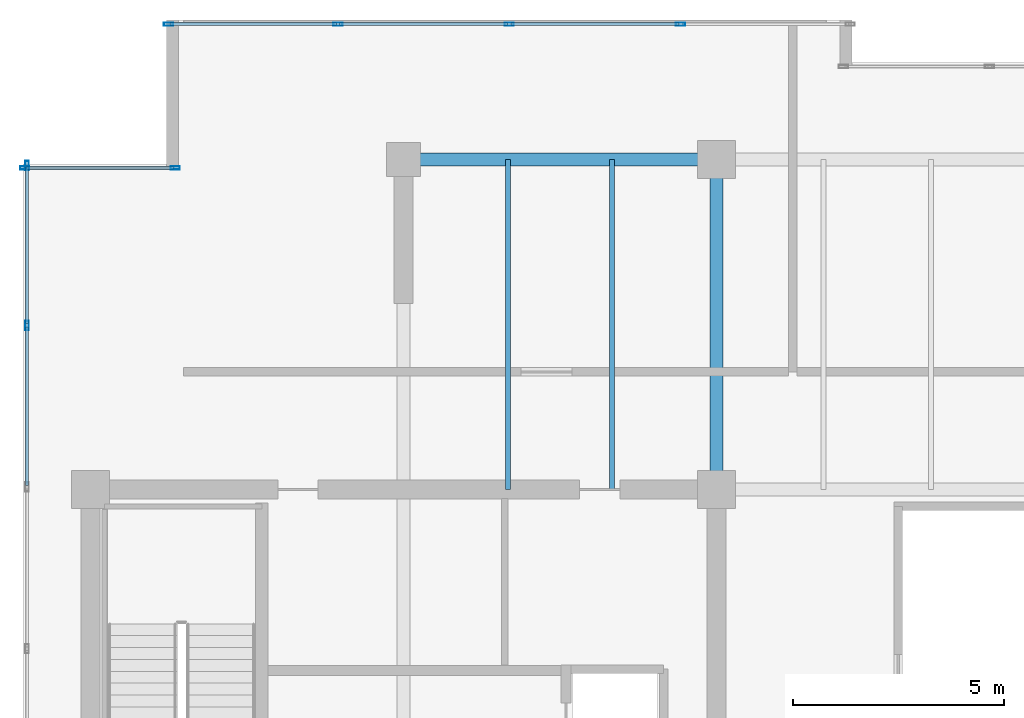
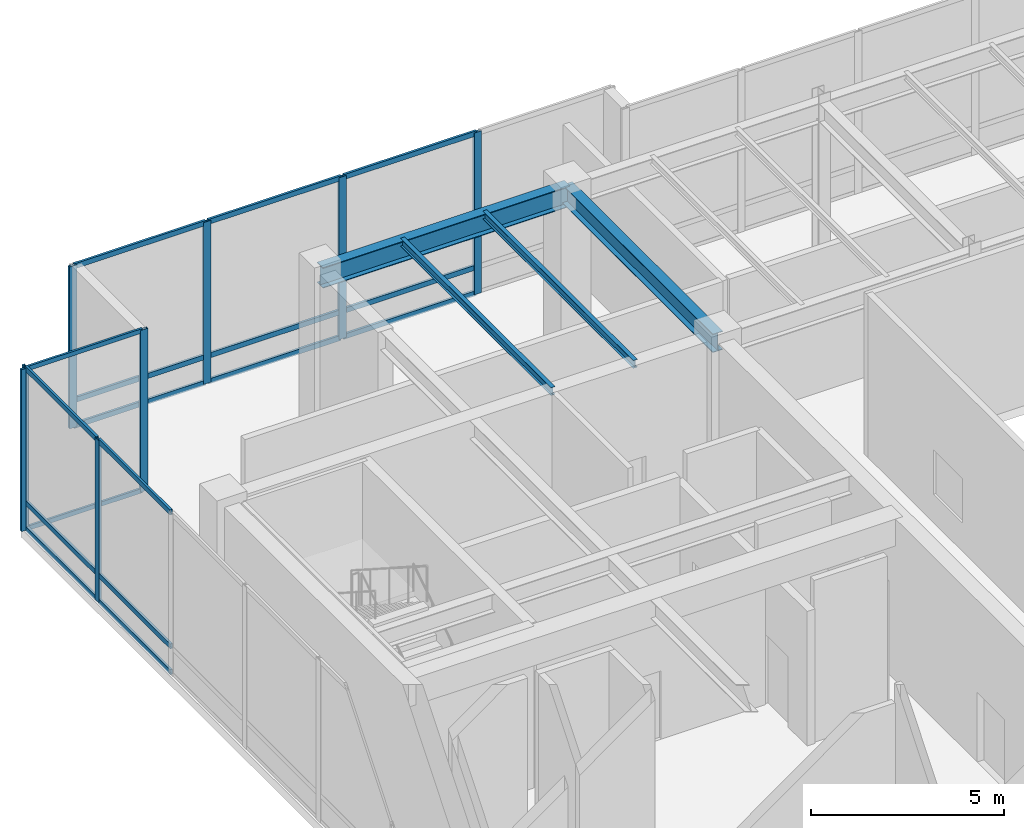
# One storey, part 18 of 30: 25 members, 4 beams, 3 elements without a shape of their own.
"""IFC4 building model written with IfcOpenShell, lengths in metres."""

from ifc_helpers import new_model, si_unit, direction, frame, origin, origin_2d, place, context, subcontext, project, spatial, hollow_rectangle, i_section, extrude, source, transform, mapped, material, layer, layer_set, material_profile, profile_set, type_object, type_shapes, element, aggregate, save


model = new_model("IFC4")

# Units and contexts
model_context = context("Model", 3, precision=1e-05, world=origin(), true_north=direction((0.0, 1.0)))
body_context = subcontext(model_context, "Body", "Model", "MODEL_VIEW")
ifc_project = project(units=[si_unit("LENGTHUNIT", "METRE"), si_unit("AREAUNIT", "SQUARE_METRE"), si_unit("VOLUMEUNIT", "CUBIC_METRE"), si_unit("PLANEANGLEUNIT", "RADIAN"), si_unit("MASSUNIT", "GRAM", prefix="KILO")], contexts=[model_context])

# Site, building, storey
site_placement = place(None, origin())
site = spatial("IfcSite", under=ifc_project, at=site_placement, CompositionType="ELEMENT")
building_placement = place(site_placement, origin())
building = spatial("IfcBuilding", under=site, at=building_placement, Name="Haelvirn Gate Laboratories", CompositionType="ELEMENT")
storey_placement = place(building_placement, frame((0.0, 0.0, 327.0)))
storey = spatial("IfcBuildingStorey", under=building, at=storey_placement, Name="L78", CompositionType="ELEMENT", Elevation=327.0)

# Beams
ifc_material_1 = material(Name="Steel SM355", Category="steel")
ifc_material_profile_1 = material_profile(ifc_material_1, i_section(OverallWidth=0.300048828125, OverallDepth=0.587890625, WebThickness=0.011962890625, FlangeThickness=0.02001953125, at=origin_2d()), Name="H-588x300x12x20")
ifc_profile_set_1 = profile_set([ifc_material_profile_1], Name="Steel SM355")
beam_type_1 = type_object("IfcBeamType", Name="BM-G-588", PredefinedType="BEAM", material=ifc_profile_set_1)
shared_shape_1 = source(origin(), body_context, "Body", "SweptSolid", [
    extrude(i_section(OverallWidth=0.300048828125, OverallDepth=0.587890625, WebThickness=0.011962890625, FlangeThickness=0.02001953125, at=origin_2d()), origin(), (0.0, 0.0, 1.0), 7.800048828125),
])
type_shapes(beam_type_1, [shared_shape_1])
beam_1_placement = place(storey_placement, frame((22.199951171875, 33.800048828125, 4.825927734375), z_axis=(0.0, 1.0, 0.0), x_axis=(-1.0, 0.0, 0.0)))
element("IfcBeam", 1, at=beam_1_placement, inside=storey, type_object=beam_type_1, Name="L78 Frame Girder X22.2 (33.8-41.6)", PredefinedType="BEAM", context=body_context, shape_type="MappedRepresentation", body=[
    mapped(shared_shape_1, transform((0.0, 0.0, 0.0), scale=1.0)),
])
ifc_material_profile_2 = material_profile(ifc_material_1, i_section(OverallWidth=0.300048828125, OverallDepth=0.64990234375, WebThickness=0.012939453125, FlangeThickness=0.02197265625, at=origin_2d()), Name="H-650x300x13x22")
ifc_profile_set_2 = profile_set([ifc_material_profile_2], Name="Steel SM355")
beam_type_2 = type_object("IfcBeamType", Name="BM-G-650", PredefinedType="BEAM", material=ifc_profile_set_2)
shared_shape_2 = source(origin(), body_context, "Body", "SweptSolid", [
    extrude(i_section(OverallWidth=0.300048828125, OverallDepth=0.64990234375, WebThickness=0.012939453125, FlangeThickness=0.02197265625, at=origin_2d()), origin(), (0.0, 0.0, 1.0), 7.39990234375),
])
type_shapes(beam_type_2, [shared_shape_2])
beam_2_placement = place(storey_placement, frame((14.800048828125, 41.60009765625, 4.794921875), z_axis=(1.0, 0.0, 0.0), x_axis=(0.0, 1.0, 0.0)))
element("IfcBeam", 2, at=beam_2_placement, inside=storey, type_object=beam_type_2, Name="L78 Primary Girder Y41.6 (14.8-22.2)", PredefinedType="BEAM", context=body_context, shape_type="MappedRepresentation", body=[
    mapped(shared_shape_2, transform((0.0, 0.0, 0.0), scale=1.0)),
])
ifc_material_profile_3 = material_profile(ifc_material_1, i_section(OverallWidth=0.125, OverallDepth=0.25, WebThickness=0.006103515625, FlangeThickness=0.009033203125, at=origin_2d()), Name="H-250x125x6x9")
ifc_profile_set_3 = profile_set([ifc_material_profile_3], Name="Steel SM355")
beam_type_3 = type_object("IfcBeamType", Name="BM-J-250", PredefinedType="JOIST", material=ifc_profile_set_3)
shared_shape_3 = source(origin(), body_context, "Body", "SweptSolid", [
    extrude(i_section(OverallWidth=0.125, OverallDepth=0.25, WebThickness=0.006103515625, FlangeThickness=0.009033203125, at=origin_2d()), origin(), (0.0, 0.0, 1.0), 7.800048828125),
])
type_shapes(beam_type_3, [shared_shape_3])
for number, where, z_axis, x_axis, name in (
    (3, (17.27001953125, 33.800048828125, 4.9951171875), (0.0, 1.0, 0.0), (-1.0, 0.0, 0.0), "L78 Composite Lab Joist North X17.27"),
    (4, (19.72998046875, 33.800048828125, 4.9951171875), (0.0, 1.0, 0.0), (-1.0, 0.0, 0.0), "L78 Composite Lab Joist North X19.73"),
):
    element("IfcBeam", number, at=place(storey_placement, frame(where, z_axis=z_axis, x_axis=x_axis)), inside=storey, type_object=beam_type_3, Name=name, PredefinedType="JOIST", context=body_context, shape_type="MappedRepresentation", body=[
        mapped(shared_shape_3, transform((0.0, 0.0, 0.0), scale=1.0)),
    ])

# Curtain wall, members
ifc_material_2 = material(Name="Anodised bronze unitised aluminium & triple low-E glass", Category="aluminium")
ifc_layer_1 = layer(ifc_material_2, 0.181884765625, Name="CW-SYS-5")
ifc_layer_set_1 = layer_set([ifc_layer_1], Name="Anodised bronze unitised aluminium & triple low-E glass")
curtain_wall_type_1 = type_object("IfcCurtainWallType", Name="CW-SYS-5", PredefinedType="NOTDEFINED", material=ifc_layer_set_1)
curtain_wall_1_placement = place(storey_placement, origin())
curtain_wall_1 = element("IfcCurtainWall", 5, at=curtain_wall_1_placement, inside=storey, type_object=curtain_wall_type_1, Name="L78 Unitised Curtain Wall CW-L78-P0-E16-1", PredefinedType="NOTDEFINED")
ifc_material_3 = material(Name="Extruded aluminium 6063-T6 (anodised bronze)", Category="aluminium")
ifc_material_profile_4 = material_profile(ifc_material_3, hollow_rectangle(XDim=0.06494140625, YDim=0.139892578125, WallThickness=0.00390625, at=origin_2d()), Name="CWT-140x65x4")
ifc_profile_set_4 = profile_set([ifc_material_profile_4], Name="Extruded aluminium 6063-T6 (anodised bronze)")
member_type_1 = type_object("IfcMemberType", Name="CWT-T140", PredefinedType="USERDEFINED", material=ifc_profile_set_4)
shared_shape_4 = source(origin(), body_context, "Body", "SweptSolid", [
    extrude(hollow_rectangle(XDim=0.06494140625, YDim=0.139892578125, WallThickness=0.00390625, at=origin_2d()), origin(), (0.0, 0.0, 1.0), 3.480224609375),
])
type_shapes(member_type_1, [shared_shape_4])
member_1_placement = place(storey_placement, frame((5.8798828125, 41.39990234375, 0.032470703125), z_axis=(1.0, 0.0, 0.0), x_axis=(0.0, 1.0, 0.0)))
member_1 = element("IfcMember", 6, at=member_1_placement, type_object=member_type_1, Name="CW5 transom 1.1", ObjectType="TRANSOM", PredefinedType="USERDEFINED", context=body_context, shape_type="MappedRepresentation", body=[
    mapped(shared_shape_4, transform((0.0, 0.0, 0.0), scale=1.0)),
])
member_2_placement = place(storey_placement, frame((5.8798828125, 41.39990234375, 5.08740234375), z_axis=(1.0, 0.0, 0.0), x_axis=(0.0, 1.0, 0.0)))
member_2 = element("IfcMember", 7, at=member_2_placement, type_object=member_type_1, Name="CW5 transom 1.2", ObjectType="TRANSOM", PredefinedType="USERDEFINED", context=body_context, shape_type="MappedRepresentation", body=[
    mapped(shared_shape_4, transform((0.0, 0.0, 0.0), scale=1.0)),
])

ifc_layer_2 = layer(ifc_material_2, 0.19189453125, Name="CW-SYS-6")
ifc_layer_set_2 = layer_set([ifc_layer_2], Name="Anodised bronze unitised aluminium & triple low-E glass")
curtain_wall_type_2 = type_object("IfcCurtainWallType", Name="CW-SYS-6", PredefinedType="NOTDEFINED", material=ifc_layer_set_2)
curtain_wall_2_placement = place(storey_placement, origin())
curtain_wall_2 = element("IfcCurtainWall", 8, at=curtain_wall_2_placement, inside=storey, type_object=curtain_wall_type_2, Name="L78 Unitised Curtain Wall CW-L78-P0-E14-1", PredefinedType="NOTDEFINED")
ifc_material_profile_5 = material_profile(ifc_material_3, hollow_rectangle(XDim=0.080078125, YDim=0.219970703125, WallThickness=0.006103515625, at=origin_2d()), Name="CWM-220x80x6")
ifc_profile_set_5 = profile_set([ifc_material_profile_5], Name="Extruded aluminium 6063-T6 (anodised bronze)")
member_type_2 = type_object("IfcMemberType", Name="CWM-T220", PredefinedType="MULLION", material=ifc_profile_set_5)
shared_shape_5 = source(origin(), body_context, "Body", "SweptSolid", [
    extrude(hollow_rectangle(XDim=0.080078125, YDim=0.219970703125, WallThickness=0.006103515625, at=origin_2d()), origin(), (0.0, 0.0, 1.0), 5.1201171875),
])
type_shapes(member_type_2, [shared_shape_5])
member_3_placement = place(storey_placement, frame((9.239990234375, 44.800048828125, 0.0), z_axis=(0.0, 0.0, 1.0), x_axis=(0.0, 1.0, 0.0)))
member_3 = element("IfcMember", 9, at=member_3_placement, type_object=member_type_2, Name="CW6 mullion 1", PredefinedType="MULLION", context=body_context, shape_type="MappedRepresentation", body=[
    mapped(shared_shape_5, transform((0.0, 0.0, 0.0), scale=1.0)),
])
member_4_placement = place(storey_placement, frame((13.25, 44.800048828125, 0.0), z_axis=(0.0, 0.0, 1.0), x_axis=(0.0, 1.0, 0.0)))
member_4 = element("IfcMember", 10, at=member_4_placement, type_object=member_type_2, Name="CW6 mullion 2", PredefinedType="MULLION", context=body_context, shape_type="MappedRepresentation", body=[
    mapped(shared_shape_5, transform((0.0, 0.0, 0.0), scale=1.0)),
])
member_5_placement = place(storey_placement, frame((17.300048828125, 44.800048828125, 0.0), z_axis=(0.0, 0.0, 1.0), x_axis=(0.0, 1.0, 0.0)))
member_5 = element("IfcMember", 11, at=member_5_placement, type_object=member_type_2, Name="CW6 mullion 3", PredefinedType="MULLION", context=body_context, shape_type="MappedRepresentation", body=[
    mapped(shared_shape_5, transform((0.0, 0.0, 0.0), scale=1.0)),
])
member_6_placement = place(storey_placement, frame((21.35009765625, 44.800048828125, 0.0), z_axis=(0.0, 0.0, 1.0), x_axis=(0.0, 1.0, 0.0)))
member_6 = element("IfcMember", 12, at=member_6_placement, type_object=member_type_2, Name="CW6 mullion 4", PredefinedType="MULLION", context=body_context, shape_type="MappedRepresentation", body=[
    mapped(shared_shape_5, transform((0.0, 0.0, 0.0), scale=1.0)),
])

# Member
member_7_placement = place(storey_placement, frame((5.840087890625, 41.39990234375, 0.0), z_axis=(0.0, 0.0, 1.0), x_axis=(0.0, 1.0, 0.0)))
member_7 = element("IfcMember", 13, at=member_7_placement, type_object=member_type_2, Name="CW5 mullion 1", PredefinedType="MULLION", context=body_context, shape_type="MappedRepresentation", body=[
    mapped(shared_shape_5, transform((0.0, 0.0, 0.0), scale=1.0)),
])

member_8_placement = place(storey_placement, frame((9.39990234375, 41.39990234375, 0.0), z_axis=(0.0, 0.0, 1.0), x_axis=(0.0, 1.0, 0.0)))
member_8 = element("IfcMember", 14, at=member_8_placement, type_object=member_type_2, Name="CW5 mullion 2", PredefinedType="MULLION", context=body_context, shape_type="MappedRepresentation", body=[
    mapped(shared_shape_5, transform((0.0, 0.0, 0.0), scale=1.0)),
])

aggregate(curtain_wall_1, [member_7, member_8, member_1, member_2])

# Curtain wall, members
curtain_wall_3_placement = place(storey_placement, origin())
curtain_wall_3 = element("IfcCurtainWall", 15, at=curtain_wall_3_placement, inside=storey, type_object=curtain_wall_type_2, Name="L78 Unitised Curtain Wall CW-L78-P0-E17", PredefinedType="NOTDEFINED")
member_9_placement = place(storey_placement, frame((5.89990234375, 41.4599609375, 0.0), z_axis=(0.0, 0.0, 1.0), x_axis=(1.0, 0.0, 0.0)))
member_9 = element("IfcMember", 16, at=member_9_placement, type_object=member_type_2, Name="CW6 mullion 1", PredefinedType="MULLION", context=body_context, shape_type="MappedRepresentation", body=[
    mapped(shared_shape_5, transform((0.0, 0.0, 0.0), scale=1.0)),
])
member_10_placement = place(storey_placement, frame((5.89990234375, 37.677734375, 0.0), z_axis=(0.0, 0.0, 1.0), x_axis=(1.0, 0.0, 0.0)))
member_10 = element("IfcMember", 17, at=member_10_placement, type_object=member_type_2, Name="CW6 mullion 2", PredefinedType="MULLION", context=body_context, shape_type="MappedRepresentation", body=[
    mapped(shared_shape_5, transform((0.0, 0.0, 0.0), scale=1.0)),
])

# Member
ifc_material_profile_6 = material_profile(ifc_material_3, hollow_rectangle(XDim=0.070068359375, YDim=0.159912109375, WallThickness=0.0048828125, at=origin_2d()), Name="CWT-160x70x5")
ifc_profile_set_6 = profile_set([ifc_material_profile_6], Name="Extruded aluminium 6063-T6 (anodised bronze)")
member_type_3 = type_object("IfcMemberType", Name="CWT-T160", PredefinedType="USERDEFINED", material=ifc_profile_set_6)
shared_shape_6 = source(origin(), body_context, "Body", "SweptSolid", [
    extrude(hollow_rectangle(XDim=0.070068359375, YDim=0.159912109375, WallThickness=0.0048828125, at=origin_2d()), origin(), (0.0, 0.0, 1.0), 3.929931640625),
])
member_11_placement = place(storey_placement, frame((9.280029296875, 44.800048828125, 0.034912109375), z_axis=(1.0, 0.0, 0.0), x_axis=(0.0, 1.0, 0.0)))
member_11 = element("IfcMember", 18, at=member_11_placement, type_object=member_type_3, Name="CW6 transom 1.1", ObjectType="TRANSOM", PredefinedType="USERDEFINED", context=body_context, shape_type="MappedRepresentation", body=[
    mapped(shared_shape_6, transform((0.0, 0.0, 0.0), scale=1.0)),
])

member_12_placement = place(storey_placement, frame((9.280029296875, 44.800048828125, 0.85009765625), z_axis=(1.0, 0.0, 0.0), x_axis=(0.0, 1.0, 0.0)))
member_12 = element("IfcMember", 19, at=member_12_placement, type_object=member_type_3, Name="CW6 transom 1.2", ObjectType="TRANSOM", PredefinedType="USERDEFINED", context=body_context, shape_type="MappedRepresentation", body=[
    mapped(shared_shape_6, transform((0.0, 0.0, 0.0), scale=1.0)),
])

member_13_placement = place(storey_placement, frame((9.280029296875, 44.800048828125, 5.0849609375), z_axis=(1.0, 0.0, 0.0), x_axis=(0.0, 1.0, 0.0)))
member_13 = element("IfcMember", 20, at=member_13_placement, type_object=member_type_3, Name="CW6 transom 1.3", ObjectType="TRANSOM", PredefinedType="USERDEFINED", context=body_context, shape_type="MappedRepresentation", body=[
    mapped(shared_shape_6, transform((0.0, 0.0, 0.0), scale=1.0)),
])

shared_shape_7 = source(origin(), body_context, "Body", "SweptSolid", [
    extrude(hollow_rectangle(XDim=0.070068359375, YDim=0.159912109375, WallThickness=0.0048828125, at=origin_2d()), origin(), (0.0, 0.0, 1.0), 3.969970703125),
])
member_14_placement = place(storey_placement, frame((13.2900390625, 44.800048828125, 0.034912109375), z_axis=(1.0, 0.0, 0.0), x_axis=(0.0, 1.0, 0.0)))
member_14 = element("IfcMember", 21, at=member_14_placement, type_object=member_type_3, Name="CW6 transom 2.1", ObjectType="TRANSOM", PredefinedType="USERDEFINED", context=body_context, shape_type="MappedRepresentation", body=[
    mapped(shared_shape_7, transform((0.0, 0.0, 0.0), scale=1.0)),
])

member_15_placement = place(storey_placement, frame((13.2900390625, 44.800048828125, 0.85009765625), z_axis=(1.0, 0.0, 0.0), x_axis=(0.0, 1.0, 0.0)))
member_15 = element("IfcMember", 22, at=member_15_placement, type_object=member_type_3, Name="CW6 transom 2.2", ObjectType="TRANSOM", PredefinedType="USERDEFINED", context=body_context, shape_type="MappedRepresentation", body=[
    mapped(shared_shape_7, transform((0.0, 0.0, 0.0), scale=1.0)),
])

member_16_placement = place(storey_placement, frame((13.2900390625, 44.800048828125, 5.0849609375), z_axis=(1.0, 0.0, 0.0), x_axis=(0.0, 1.0, 0.0)))
member_16 = element("IfcMember", 23, at=member_16_placement, type_object=member_type_3, Name="CW6 transom 2.3", ObjectType="TRANSOM", PredefinedType="USERDEFINED", context=body_context, shape_type="MappedRepresentation", body=[
    mapped(shared_shape_7, transform((0.0, 0.0, 0.0), scale=1.0)),
])

member_17_placement = place(storey_placement, frame((17.340087890625, 44.800048828125, 0.034912109375), z_axis=(1.0, 0.0, 0.0), x_axis=(0.0, 1.0, 0.0)))
member_17 = element("IfcMember", 24, at=member_17_placement, type_object=member_type_3, Name="CW6 transom 3.1", ObjectType="TRANSOM", PredefinedType="USERDEFINED", context=body_context, shape_type="MappedRepresentation", body=[
    mapped(shared_shape_7, transform((0.0, 0.0, 0.0), scale=1.0)),
])

member_18_placement = place(storey_placement, frame((17.340087890625, 44.800048828125, 0.85009765625), z_axis=(1.0, 0.0, 0.0), x_axis=(0.0, 1.0, 0.0)))
member_18 = element("IfcMember", 25, at=member_18_placement, type_object=member_type_3, Name="CW6 transom 3.2", ObjectType="TRANSOM", PredefinedType="USERDEFINED", context=body_context, shape_type="MappedRepresentation", body=[
    mapped(shared_shape_7, transform((0.0, 0.0, 0.0), scale=1.0)),
])

member_19_placement = place(storey_placement, frame((17.340087890625, 44.800048828125, 5.0849609375), z_axis=(1.0, 0.0, 0.0), x_axis=(0.0, 1.0, 0.0)))
member_19 = element("IfcMember", 26, at=member_19_placement, type_object=member_type_3, Name="CW6 transom 3.3", ObjectType="TRANSOM", PredefinedType="USERDEFINED", context=body_context, shape_type="MappedRepresentation", body=[
    mapped(shared_shape_7, transform((0.0, 0.0, 0.0), scale=1.0)),
])

aggregate(curtain_wall_2, [member_3, member_4, member_5, member_6, member_11, member_12, member_13, member_14, member_15, member_16, member_17, member_18, member_19])

shared_shape_8 = source(origin(), body_context, "Body", "SweptSolid", [
    extrude(hollow_rectangle(XDim=0.070068359375, YDim=0.159912109375, WallThickness=0.0048828125, at=origin_2d()), origin(), (0.0, 0.0, 1.0), 3.7421875),
])
member_20_placement = place(storey_placement, frame((5.89990234375, 37.6376953125, 0.034912109375), z_axis=(0.0, -1.0, 0.0), x_axis=(1.0, 0.0, 0.0)))
member_20 = element("IfcMember", 27, at=member_20_placement, type_object=member_type_3, Name="CW6 transom 2.1", ObjectType="TRANSOM", PredefinedType="USERDEFINED", context=body_context, shape_type="MappedRepresentation", body=[
    mapped(shared_shape_8, transform((0.0, 0.0, 0.0), scale=1.0)),
])

member_21_placement = place(storey_placement, frame((5.89990234375, 37.6376953125, 0.85009765625), z_axis=(0.0, -1.0, 0.0), x_axis=(1.0, 0.0, 0.0)))
member_21 = element("IfcMember", 28, at=member_21_placement, type_object=member_type_3, Name="CW6 transom 2.2", ObjectType="TRANSOM", PredefinedType="USERDEFINED", context=body_context, shape_type="MappedRepresentation", body=[
    mapped(shared_shape_8, transform((0.0, 0.0, 0.0), scale=1.0)),
])

member_22_placement = place(storey_placement, frame((5.89990234375, 37.6376953125, 5.0849609375), z_axis=(0.0, -1.0, 0.0), x_axis=(1.0, 0.0, 0.0)))
member_22 = element("IfcMember", 29, at=member_22_placement, type_object=member_type_3, Name="CW6 transom 2.3", ObjectType="TRANSOM", PredefinedType="USERDEFINED", context=body_context, shape_type="MappedRepresentation", body=[
    mapped(shared_shape_8, transform((0.0, 0.0, 0.0), scale=1.0)),
])

shared_shape_9 = source(origin(), body_context, "Body", "SweptSolid", [
    extrude(hollow_rectangle(XDim=0.070068359375, YDim=0.159912109375, WallThickness=0.0048828125, at=origin_2d()), origin(), (0.0, 0.0, 1.0), 3.7021484375),
])
type_shapes(member_type_3, [shared_shape_6, shared_shape_7, shared_shape_8, shared_shape_9])
member_23_placement = place(storey_placement, frame((5.89990234375, 41.419921875, 0.034912109375), z_axis=(0.0, -1.0, 0.0), x_axis=(1.0, 0.0, 0.0)))
member_23 = element("IfcMember", 30, at=member_23_placement, type_object=member_type_3, Name="CW6 transom 1.1", ObjectType="TRANSOM", PredefinedType="USERDEFINED", context=body_context, shape_type="MappedRepresentation", body=[
    mapped(shared_shape_9, transform((0.0, 0.0, 0.0), scale=1.0)),
])

member_24_placement = place(storey_placement, frame((5.89990234375, 41.419921875, 0.85009765625), z_axis=(0.0, -1.0, 0.0), x_axis=(1.0, 0.0, 0.0)))
member_24 = element("IfcMember", 31, at=member_24_placement, type_object=member_type_3, Name="CW6 transom 1.2", ObjectType="TRANSOM", PredefinedType="USERDEFINED", context=body_context, shape_type="MappedRepresentation", body=[
    mapped(shared_shape_9, transform((0.0, 0.0, 0.0), scale=1.0)),
])

member_25_placement = place(storey_placement, frame((5.89990234375, 41.419921875, 5.0849609375), z_axis=(0.0, -1.0, 0.0), x_axis=(1.0, 0.0, 0.0)))
member_25 = element("IfcMember", 32, at=member_25_placement, type_object=member_type_3, Name="CW6 transom 1.3", ObjectType="TRANSOM", PredefinedType="USERDEFINED", context=body_context, shape_type="MappedRepresentation", body=[
    mapped(shared_shape_9, transform((0.0, 0.0, 0.0), scale=1.0)),
])

aggregate(curtain_wall_3, [member_9, member_10, member_23, member_24, member_25, member_20, member_21, member_22])

save(model, "model.ifc")
